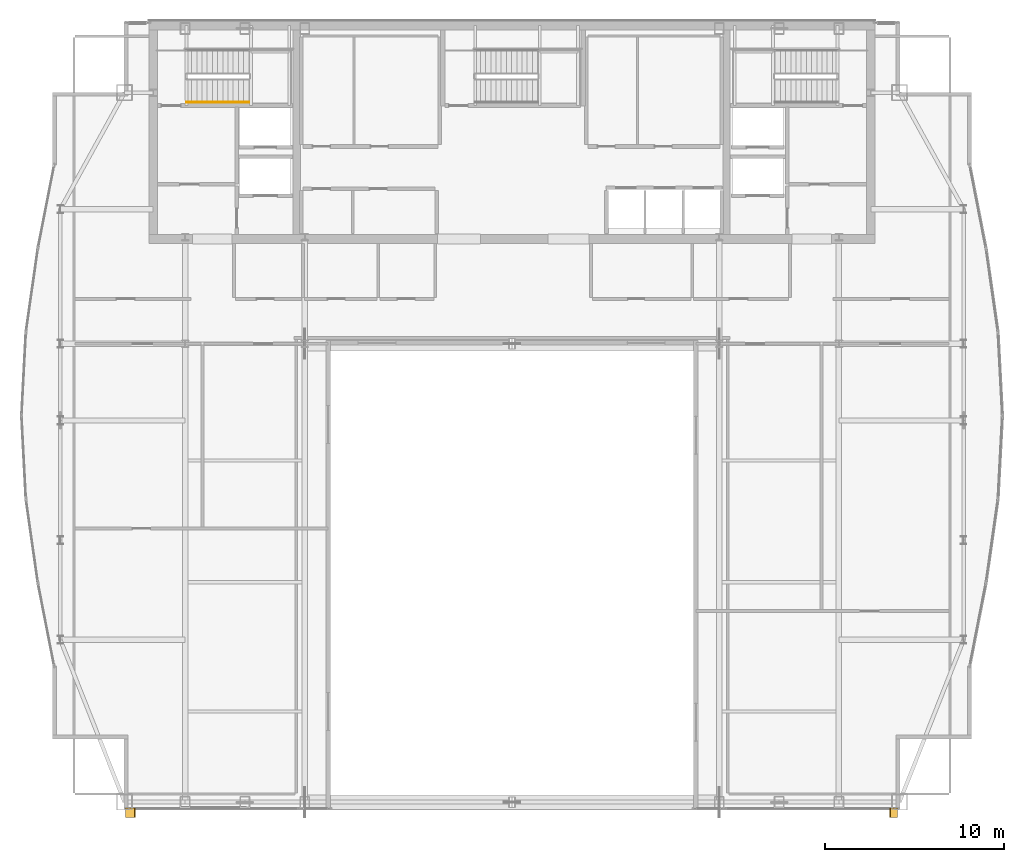
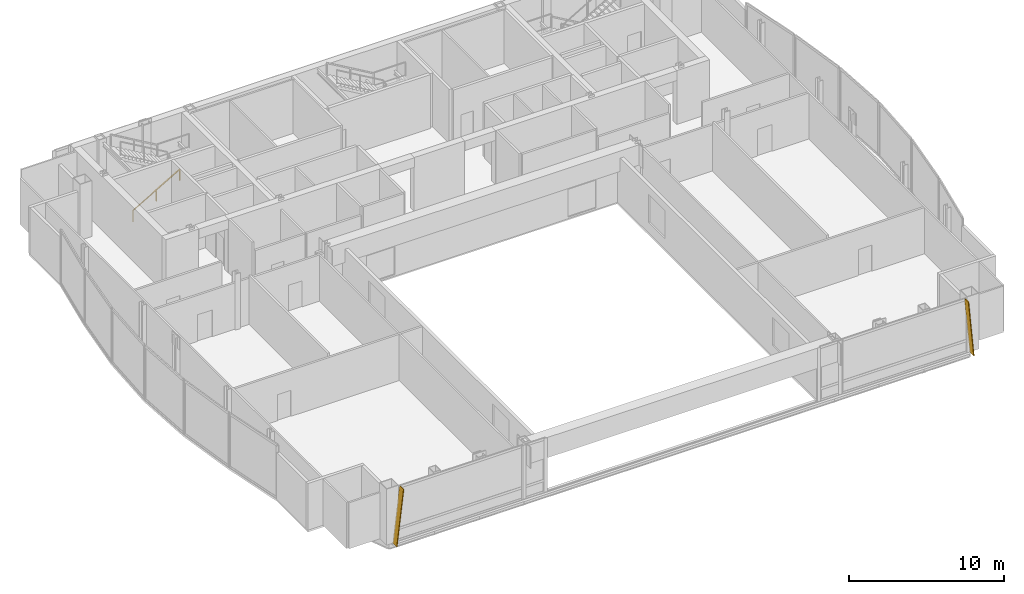
# One storey, part 26 of 27: 2 shading devices, 1 railing.
"""IFC4 building model written with IfcOpenShell, lengths in metres."""

import ifcopenshell
import ifcopenshell.guid

model = None  # the IFC model being written
_history = None  # IfcOwnerHistory: only IFC2X3 demands one
_inside = {}  # id of a spatial element -> (the spatial element, [elements in it])
_under = {}  # id of a project, library or spatial element -> (it, [spatial elements below it])
_declared = {}  # id of a project -> (the project, [libraries it declares])
_typed = {}  # id of a type object -> (the type object, [elements of that type])
_made_of = {}  # id of a material, layer set ... -> (it, [elements and type objects made of it])


def new_model(schema):
    """Start an empty IFC model of exactly this schema.

    Asked for "IFC4X3", IfcOpenShell would pick the latest addendum, in which some entities
    have other attributes; the version numbers below select the first issue.
    IFC2X3 requires an IfcOwnerHistory on every rooted entity: one is made here for all.
    """
    global model, _history
    if schema == "IFC4X3":
        model = ifcopenshell.file(schema_version=(4, 3, 0, 0))
    else:
        model = ifcopenshell.file(schema=schema)
    _inside.clear()
    _under.clear()
    _declared.clear()
    _typed.clear()
    _made_of.clear()
    _history = None
    if model.schema == "IFC2X3":
        org = make("IfcOrganization", Name="unknown")
        user = make(
            "IfcPersonAndOrganization",
            ThePerson=make("IfcPerson", FamilyName="unknown"),
            TheOrganization=org,
        )
        app = make(
            "IfcApplication",
            ApplicationDeveloper=org,
            Version="unknown",
            ApplicationFullName="unknown",
            ApplicationIdentifier="unknown",
        )
        _history = make(
            "IfcOwnerHistory",
            OwningUser=user,
            OwningApplication=app,
            ChangeAction="ADDED",
            CreationDate=0,
        )
    return model


def make(cls, **values):
    """One entity of the class cls with the attributes given. An attribute that is None is left unset."""
    return model.create_entity(
        cls, **{name: value for name, value in values.items() if value is not None}
    )


def rooted(cls, **values):
    """An entity with a GlobalId (a new one), such as an element, a storey or a relation."""
    return make(cls, GlobalId=ifcopenshell.guid.new(), OwnerHistory=_history, **values)


def si_unit(unit_type, name, prefix=None):
    """IfcSIUnit, for example si_unit("LENGTHUNIT", "METRE", prefix="MILLI")."""
    return make("IfcSIUnit", UnitType=unit_type, Prefix=prefix, Name=name)


def assignment(units):
    """IfcUnitAssignment: the units of a project."""
    return None if units is None else make("IfcUnitAssignment", Units=units)


def point(xyz):
    """IfcCartesianPoint."""
    return None if xyz is None else make("IfcCartesianPoint", Coordinates=xyz)


def direction(xyz):
    """IfcDirection."""
    return None if xyz is None else make("IfcDirection", DirectionRatios=xyz)


def frame(location, z_axis=None, x_axis=None):
    """IfcAxis2Placement3D, a coordinate frame: its origin and axes. An axis left out is left unset."""
    return make(
        "IfcAxis2Placement3D",
        Location=point(location),
        Axis=direction(z_axis),
        RefDirection=direction(x_axis),
    )


def frame_2d(location, x_axis=None):
    """IfcAxis2Placement2D, a coordinate frame in the plane: its origin and x axis."""
    return make(
        "IfcAxis2Placement2D", Location=point(location), RefDirection=direction(x_axis)
    )


def origin():
    """The frame at (0, 0, 0) with its axes left unset."""
    return frame((0.0, 0.0, 0.0))


def origin_2d():
    """The frame at (0, 0) in the plane with its x axis left unset."""
    return frame_2d((0.0, 0.0))


def place(relative_to, where):
    """IfcLocalPlacement: puts the frame where relative to a parent placement (None: the world)."""
    return make(
        "IfcLocalPlacement", PlacementRelTo=relative_to, RelativePlacement=where
    )


def context(
    kind, dimensions, precision=None, world=None, true_north=None, identifier=None
):
    """IfcGeometricRepresentationContext, for example the 3D "Model" context."""
    return make(
        "IfcGeometricRepresentationContext",
        ContextIdentifier=identifier,
        ContextType=kind,
        CoordinateSpaceDimension=dimensions,
        Precision=precision,
        WorldCoordinateSystem=world,
        TrueNorth=true_north,
    )


def subcontext(parent, identifier, kind, view, scale=None):
    """IfcGeometricRepresentationSubContext, for example "Body" below "Model"."""
    return make(
        "IfcGeometricRepresentationSubContext",
        ContextIdentifier=identifier,
        ContextType=kind,
        ParentContext=parent,
        TargetScale=scale,
        TargetView=view,
    )


def project(units=None, contexts=None):
    """IfcProject with its units and contexts."""
    return rooted(
        "IfcProject",
        Name="project",
        RepresentationContexts=contexts,
        UnitsInContext=assignment(units),
    )


def spatial(cls, under=None, at=None, **own):
    """A site, building, storey or space (cls), placed at a placement, below another one or the project."""
    s = rooted(cls, ObjectPlacement=at, **own)
    if under is not None:
        _under.setdefault(under.id(), (under, []))[1].append(s)
    return s


def polyline(points):
    """IfcPolyline through the points."""
    return make("IfcPolyline", Points=[point(p) for p in points])


def profile(cls, at=None, kind="AREA", **sizes):
    """A parametric profile (cls). Its sizes go by their IFC names, for example OverallWidth=200.0."""
    return make(cls, ProfileType=kind, Position=at, **sizes)


def rectangle(**sizes):
    """IfcRectangleProfileDef."""
    return profile("IfcRectangleProfileDef", **sizes)


def outline(outer, holes=None, kind="AREA"):
    """IfcArbitraryClosedProfileDef: a profile drawn as a closed curve; with holes, ...WithVoids."""
    if holes is None:
        return make("IfcArbitraryClosedProfileDef", ProfileType=kind, OuterCurve=outer)
    return make(
        "IfcArbitraryProfileDefWithVoids",
        ProfileType=kind,
        OuterCurve=outer,
        InnerCurves=holes,
    )


def extrude(swept, where, along, depth):
    """IfcExtrudedAreaSolid: the profile swept, set in the frame where, extruded along a direction by depth."""
    return make(
        "IfcExtrudedAreaSolid",
        SweptArea=swept,
        Position=where,
        ExtrudedDirection=direction(along),
        Depth=depth,
    )


def shape(context_of_items, identifier, shape_type, items):
    """IfcShapeRepresentation: the items that make up one representation, for example the "Body"."""
    return make(
        "IfcShapeRepresentation",
        ContextOfItems=context_of_items,
        RepresentationIdentifier=identifier,
        RepresentationType=shape_type,
        Items=items,
    )


def material(Name=None, Category=None):
    """IfcMaterial."""
    return make("IfcMaterial", Name=Name, Category=Category)


def layer(
    of_material, thickness, ventilated=None, Name=None, Category=None, Priority=None
):
    """IfcMaterialLayer: one layer of a wall or slab, of a material (None: an air gap)."""
    return make(
        "IfcMaterialLayer",
        Material=of_material,
        LayerThickness=thickness,
        IsVentilated=ventilated,
        Name=Name,
        Category=Category,
        Priority=Priority,
    )


def layer_set(layers, Name=None):
    """IfcMaterialLayerSet."""
    return make("IfcMaterialLayerSet", MaterialLayers=layers, LayerSetName=Name)


def made_of(thing, what):
    """Note that an element or type object is made of a material, layer set ...; save() writes the relation."""
    if what is not None:
        _made_of.setdefault(what.id(), (what, []))[1].append(thing)
    return thing


def type_object(cls, material=None, **own):
    """A type object (cls), such as IfcWallType, which elements share."""
    return made_of(rooted(cls, **own), material)


def element(
    cls,
    number,
    at=None,
    inside=None,
    cuts=None,
    type_object=None,
    material=None,
    context=None,
    identifier="Body",
    shape_type=None,
    held_by="IfcProductDefinitionShape",
    body=None,
    shapes=None,
    **own,
):
    """One element of the class cls, such as IfcWall. Its Tag is "e" and its number.

    at: its placement. inside: the storey or other place that contains it. cuts: it is an
    opening in that element (IfcRelVoidsElement). A single representation is given by context,
    identifier, shape_type and body (its items); several are given by shapes. held_by: the class
    of the entity that holds the representations. save() writes the other relations.
    """
    e = rooted(cls, Tag="e%d" % number, ObjectPlacement=at, **own)
    if body is not None:
        shapes = [shape(context, identifier, shape_type, body)]
    if shapes is not None:
        e.Representation = make(held_by, Representations=shapes)
    if inside is not None:
        _inside.setdefault(inside.id(), (inside, []))[1].append(e)
    if cuts is not None:
        rooted(
            "IfcRelVoidsElement", RelatingBuildingElement=cuts, RelatedOpeningElement=e
        )
    if type_object is not None:
        _typed.setdefault(type_object.id(), (type_object, []))[1].append(e)
    return made_of(e, material)


def aggregate(whole, parts):
    """IfcRelAggregates: a whole, such as a stair, and the parts it consists of."""
    return rooted("IfcRelAggregates", RelatingObject=whole, RelatedObjects=parts)


def save(model, path):
    """Write the relations noted so far, then the file.

    IfcRelAggregates (storeys below a building ...), IfcRelContainedInSpatialStructure (elements
    in a storey), IfcRelDefinesByType, IfcRelAssociatesMaterial and IfcRelDeclares: one each for
    every whole, place, type object, material and project.
    """
    for whole, parts in _under.values():
        aggregate(whole, parts)
    for where, things in _inside.values():
        rooted(
            "IfcRelContainedInSpatialStructure",
            RelatedElements=things,
            RelatingStructure=where,
        )
    for kind, things in _typed.values():
        rooted("IfcRelDefinesByType", RelatedObjects=things, RelatingType=kind)
    for what, things in _made_of.values():
        rooted("IfcRelAssociatesMaterial", RelatedObjects=things, RelatingMaterial=what)
    for by, libraries in _declared.values():
        rooted("IfcRelDeclares", RelatingContext=by, RelatedDefinitions=libraries)
    model.write(path)


model = new_model("IFC4")

# Units and contexts
model_context = context("Model", 3, precision=1e-05, world=origin(), true_north=direction((0.0, 1.0)))
body_context = subcontext(model_context, "Body", "Model", "MODEL_VIEW")
ifc_project = project(units=[si_unit("LENGTHUNIT", "METRE"), si_unit("AREAUNIT", "SQUARE_METRE"), si_unit("VOLUMEUNIT", "CUBIC_METRE"), si_unit("PLANEANGLEUNIT", "RADIAN"), si_unit("MASSUNIT", "GRAM", prefix="KILO")], contexts=[model_context])

# Site, building, storey
site_placement = place(None, origin())
site = spatial("IfcSite", under=ifc_project, at=site_placement, CompositionType="ELEMENT")
building_placement = place(site_placement, origin())
building = spatial("IfcBuilding", under=site, at=building_placement, Name="Khoronbel Lancet Exchange", CompositionType="ELEMENT")
storey_placement = place(building_placement, frame((0.0, 0.0, 310.199951171875)))
storey = spatial("IfcBuildingStorey", under=building, at=storey_placement, Name="L80", CompositionType="ELEMENT", Elevation=310.199951171875)

# Railing
ifc_material_1 = material(Name="Brushed Stainless Steel 316", Category="steel")
railing_type = type_object("IfcRailingType", Name="RL-STH92", PredefinedType="HANDRAIL", material=ifc_material_1)
railing_placement = place(storey_placement, frame((18.300048828125, 49.169921875, 0.169189453125)))
element("IfcRailing", 1, at=railing_placement, inside=storey, type_object=railing_type, Name="L80 ST1 stair handrail 1", PredefinedType="HANDRAIL", context=body_context, shape_type="SweptSolid", body=[
    extrude(rectangle(XDim=0.048095703125, YDim=0.048095703125, at=origin_2d()), frame((0.0, 0.0, 0.8759765625), z_axis=(0.863695377172, 0.0, 0.504014181796), x_axis=(0.0, 1.0, 0.0)), (0.0, 0.0, 1.0), 4.029296875),
    extrude(rectangle(XDim=0.0419921875, YDim=0.0419921875, at=origin_2d()), origin(), (0.0, 0.0, 1.0), 0.851806640625),
    extrude(rectangle(XDim=0.0419921875, YDim=0.0419921875, at=origin_2d()), frame((1.739990234375, 0.0, 1.015380859375)), (0.0, 0.0, 1.0), 0.851806640625),
    extrude(rectangle(XDim=0.0419921875, YDim=0.0419921875, at=origin_2d()), frame((3.47998046875, 0.0, 2.03076171875)), (0.0, 0.0, 1.0), 0.851806640625),
])

# Shading devices
ifc_material_2 = material(Name="Bronze-Anodised Aluminium 6063-T6", Category="aluminium")
ifc_layer = layer(ifc_material_2, 0.054931640625, Name="Bronze-Anodised Aluminium 6063-T6")
ifc_layer_set = layer_set([ifc_layer], Name="Bronze-Anodised Aluminium 6063-T6")
shading_device_type = type_object("IfcShadingDeviceType", Name="SHD-FIN1", PredefinedType="USERDEFINED", material=ifc_layer_set)
shading_device_1_placement = place(storey_placement, frame((14.91259765625, 9.81005859375, -0.079833984375), z_axis=(-0.993361589988, 0.0, 0.115033697396), x_axis=(0.0, -1.0, 0.0)))
element("IfcShadingDevice", 2, at=shading_device_1_placement, inside=storey, type_object=shading_device_type, Name="Slanted bronze solar fin CW-L80-SW-WING-0", ObjectType="FIN", PredefinedType="USERDEFINED", context=body_context, shape_type="SweptSolid", body=[
    extrude(outline(polyline([(0.0, 0.0), (0.52001953125, 0.0), (0.52001953125, 4.388916015625), (0.0, 4.388916015625), (0.0, 0.0)])), origin(), (0.0, 0.0, -1.0), 0.054931640625),
])
shading_device_2_placement = place(storey_placement, frame((57.9326171875, 9.81005859375, -0.079833984375), z_axis=(0.995920588085, 0.0, 0.090234041411), x_axis=(0.0, -1.0, 0.0)))
element("IfcShadingDevice", 3, at=shading_device_2_placement, inside=storey, type_object=shading_device_type, Name="Slanted bronze solar fin CW-L80-SE-WING-1", ObjectType="FIN", PredefinedType="USERDEFINED", context=body_context, shape_type="SweptSolid", body=[
    extrude(outline(polyline([(0.0, 0.0), (0.52001953125, 0.0), (0.52001953125, -4.377685546875), (0.0, -4.377685546875), (0.0, 0.0)])), origin(), (0.0, 0.0, -1.0), 0.054931640625),
])

save(model, "model.ifc")
